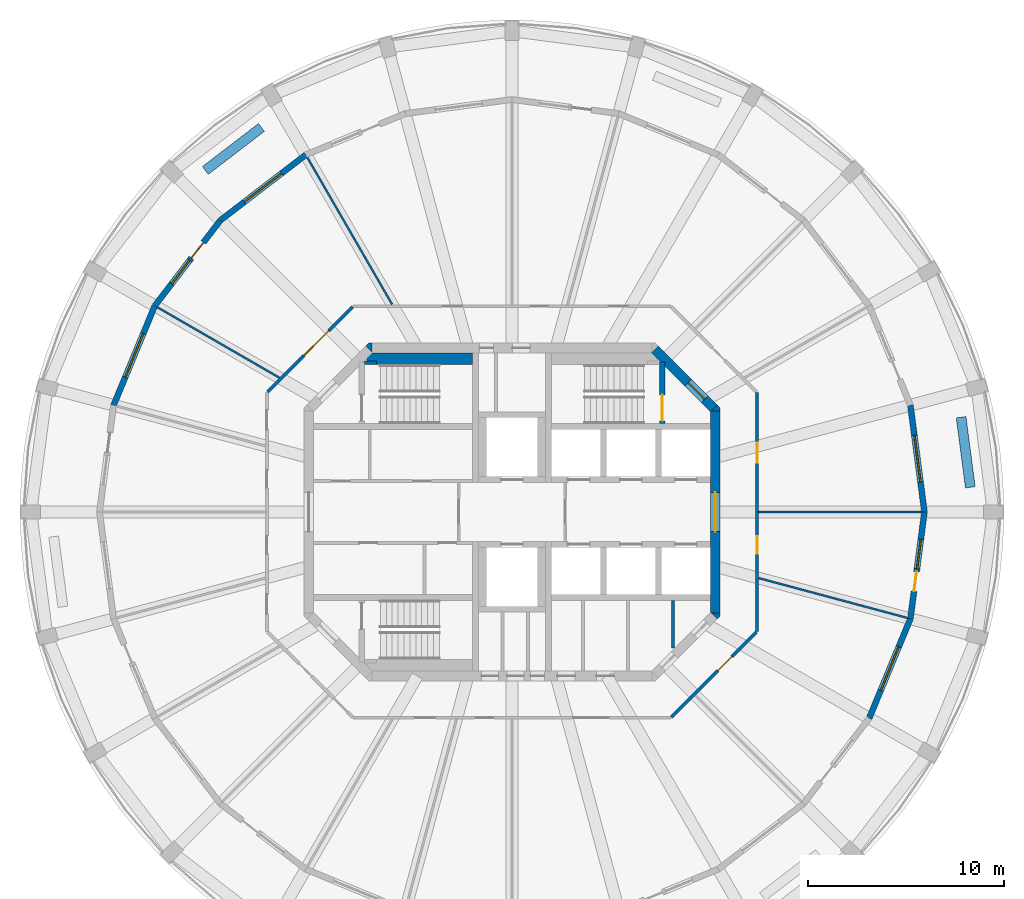
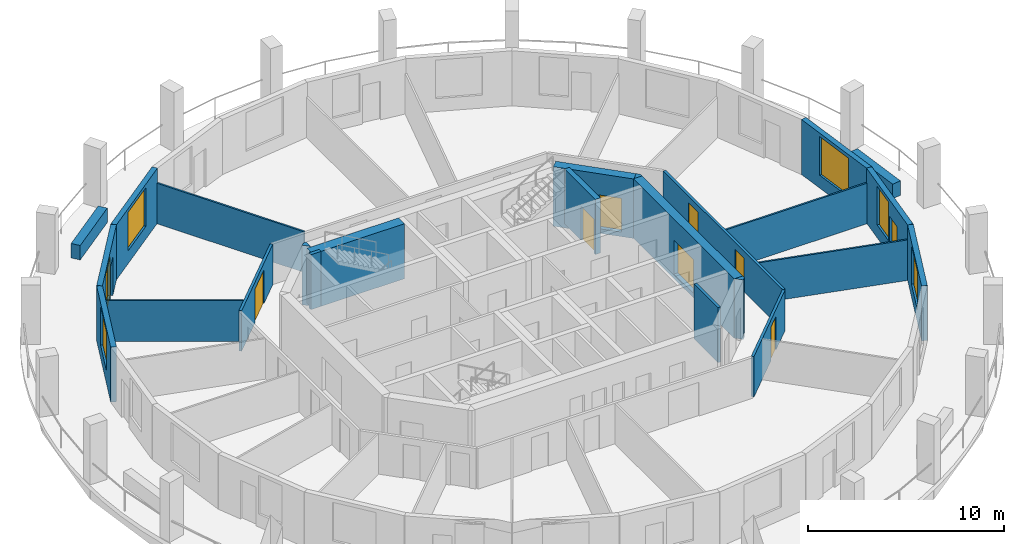
# One storey, part 5 of 9: 24 walls, 9 doors, 6 windows, 15 openings.
"""IFC4 building model written with IfcOpenShell, lengths in metres."""

from ifc_helpers import new_model, si_unit, direction, frame, frame_2d, origin, place, context, subcontext, project, spatial, polyline, rectangle, outline, extrude, material, layer, layer_set, type_object, element, fill, save


model = new_model("IFC4")

# Units and contexts
model_context = context("Model", 3, precision=1e-05, world=origin(), true_north=direction((0.0, 1.0)))
body_context = subcontext(model_context, "Body", "Model", "MODEL_VIEW")
ifc_project = project(units=[si_unit("LENGTHUNIT", "METRE"), si_unit("AREAUNIT", "SQUARE_METRE"), si_unit("VOLUMEUNIT", "CUBIC_METRE"), si_unit("PLANEANGLEUNIT", "RADIAN"), si_unit("MASSUNIT", "GRAM", prefix="KILO")], contexts=[model_context])

# Site, building, storey
site_placement = place(None, origin())
site = spatial("IfcSite", under=ifc_project, at=site_placement, CompositionType="ELEMENT")
building_placement = place(site_placement, origin())
building = spatial("IfcBuilding", under=site, at=building_placement, Name="Torre Triforio", CompositionType="ELEMENT")
storey_placement = place(building_placement, frame((0.0, 0.0, 272.300048828125)))
storey = spatial("IfcBuildingStorey", under=building, at=storey_placement, Name="L63", CompositionType="ELEMENT", Elevation=272.300048828125)

# Wall, opening, door
ifc_material_1 = material(Name="Concrete C40", Category="concrete")
ifc_layer_1 = layer(ifc_material_1, 0.5)
ifc_layer_set_1 = layer_set([ifc_layer_1], Name="Concrete C40")
wall_type_1 = type_object("IfcWallType", Name="Core wall 500 mm C40 EI 120", PredefinedType="SHEAR", material=ifc_layer_set_1)
wall_1_placement = place(storey_placement, frame((10.35009765625, -5.1298828125, -0.280029296875), z_axis=(0.0, 0.0, 1.0), x_axis=(0.0, 1.0, 0.0)))
wall_1 = element("IfcWall", 1, at=wall_1_placement, inside=storey, type_object=wall_type_1, Name="Core wall", PredefinedType="SHEAR", context=body_context, shape_type="SweptSolid", body=[
    extrude(rectangle(XDim=10.259765625, YDim=0.5, at=frame_2d((5.1298828125, 0.0))), origin(), (0.0, 0.0, 1.0), 3.699951171875),
])
opening_1_placement = place(wall_1_placement, frame((4.1298828125, 0.0, 0.280029296875)))
opening_1 = element("IfcOpeningElement", 2, at=opening_1_placement, cuts=wall_1, Name="Opening E-RING", PredefinedType="OPENING", context=body_context, shape_type="SweptSolid", body=[
    extrude(rectangle(XDim=2.0, YDim=2.10009765625, at=frame_2d((1.0, 1.050048828125))), frame((0.0, 0.260009765625, 0.0), z_axis=(0.0, -1.0, 0.0), x_axis=(1.0, 0.0, 0.0)), (0.0, 0.0, 1.0), 0.52001953125),
])
ifc_material_2 = material(Name="Hollow metal fire door leaf")
door_type_1 = type_object("IfcDoorType", Name="Lobby door 2000 x 2100 EI 60", OperationType="DOUBLE_DOOR_SINGLE_SWING", PredefinedType="DOOR", material=ifc_material_2)
door_1_placement = place(opening_1_placement, origin())
door_1 = element("IfcDoor", 3, at=door_1_placement, inside=storey, type_object=door_type_1, Name="Core door E-RING", OperationType="DOUBLE_DOOR_SINGLE_SWING", OverallHeight=2.10009765625, OverallWidth=2.0, PredefinedType="DOOR", context=body_context, shape_type="SweptSolid", body=[
    extrude(rectangle(XDim=2.0, YDim=2.10009765625, at=frame_2d((1.0, 1.050048828125))), frame((0.0, 0.02490234375, 0.0), z_axis=(0.0, -1.0, 0.0), x_axis=(1.0, 0.0, 0.0)), (0.0, 0.0, 1.0), 0.050048828125),
])
fill(opening_1, door_1)

wall_2_placement = place(storey_placement, frame((7.27685546875, 8.27685546875, -0.280029296875), z_axis=(0.0, 0.0, 1.0), x_axis=(0.707106781187, -0.707106781187, 0.0)))
wall_2 = element("IfcWall", 4, at=wall_2_placement, inside=storey, type_object=wall_type_1, Name="Core wall", PredefinedType="SHEAR", context=body_context, shape_type="SweptSolid", body=[
    extrude(rectangle(XDim=4.24267578125, YDim=0.5, at=frame_2d((2.121337890625, 0.0))), origin(), (0.0, 0.0, 1.0), 3.699951171875),
])
opening_2_placement = place(wall_2_placement, frame((2.392578125, 0.0, 0.280029296875)))
opening_2 = element("IfcOpeningElement", 5, at=opening_2_placement, cuts=wall_2, Name="Opening ST2-EXIT", PredefinedType="OPENING", context=body_context, shape_type="SweptSolid", body=[
    extrude(rectangle(XDim=1.199951171875, YDim=2.10009765625, at=frame_2d((0.60009765625, 1.050048828125))), frame((0.0, 0.260009765625, 0.0), z_axis=(0.0, -1.0, 0.0), x_axis=(1.0, 0.0, 0.0)), (0.0, 0.0, 1.0), 0.52001953125),
])
door_type_2 = type_object("IfcDoorType", Name="Stair lobby door 1200 x 2100 EI 60", OperationType="NOTDEFINED", PredefinedType="DOOR", material=ifc_material_2)
door_2_placement = place(opening_2_placement, origin())
door_2 = element("IfcDoor", 6, at=door_2_placement, inside=storey, type_object=door_type_2, Name="Core door ST2-EXIT", OperationType="SINGLE_SWING_RIGHT", OverallHeight=2.10009765625, OverallWidth=1.199951171875, PredefinedType="DOOR", context=body_context, shape_type="SweptSolid", body=[
    extrude(rectangle(XDim=1.199951171875, YDim=2.10009765625, at=frame_2d((0.60009765625, 1.050048828125))), frame((0.0, 0.02490234375, 0.0), z_axis=(0.0, -1.0, 0.0), x_axis=(1.0, 0.0, 0.0)), (0.0, 0.0, 1.0), 0.050048828125),
])
fill(opening_2, door_2)

# Walls
wall_3_placement = place(storey_placement, frame((0.0, 0.0, -0.280029296875)))
element("IfcWall", 7, at=wall_3_placement, inside=storey, type_object=wall_type_1, Name="Core wall", PredefinedType="SHEAR", context=body_context, shape_type="SweptSolid", body=[
    extrude(outline(polyline([(10.60009765625, -5.30712890625), (10.45361328125, -5.45361328125), (10.1298828125, -5.1298828125), (10.60009765625, -5.1298828125), (10.60009765625, -5.30712890625)])), origin(), (0.0, 0.0, 1.0), 3.699951171875),
])
wall_4_placement = place(storey_placement, frame((0.0, 0.0, -0.280029296875)))
element("IfcWall", 8, at=wall_4_placement, inside=storey, type_object=wall_type_1, Name="Core wall", PredefinedType="SHEAR", context=body_context, shape_type="SweptSolid", body=[
    extrude(outline(polyline([(10.60009765625, 5.30712890625), (10.60009765625, 5.1298828125), (10.1298828125, 5.1298828125), (10.45361328125, 5.45361328125), (10.60009765625, 5.30712890625)])), origin(), (0.0, 0.0, 1.0), 3.699951171875),
])
wall_5_placement = place(storey_placement, frame((0.0, 0.0, -0.280029296875)))
element("IfcWall", 9, at=wall_5_placement, inside=storey, type_object=wall_type_1, Name="Core wall", PredefinedType="SHEAR", context=body_context, shape_type="SweptSolid", body=[
    extrude(outline(polyline([(-7.30712890625, 8.60009765625), (-7.1298828125, 8.60009765625), (-7.1298828125, 8.1298828125), (-7.45361328125, 8.45361328125), (-7.30712890625, 8.60009765625)])), origin(), (0.0, 0.0, 1.0), 3.699951171875),
])

# Wall, opening, door
ifc_material_3 = material(Name="Plasterboard on metal studs")
ifc_layer_2 = layer(ifc_material_3, 0.14990234375)
ifc_layer_set_2 = layer_set([ifc_layer_2], Name="Plasterboard on metal studs")
wall_type_2 = type_object("IfcWallType", Name="Corridor and tenancy wall 150 mm EI 60", PredefinedType="PARTITIONING", material=ifc_layer_set_2)
wall_6_placement = place(storey_placement, frame((12.43798828125, -6.120849609375, 0.0), z_axis=(0.0, 0.0, 1.0), x_axis=(-0.707106781187, -0.707106781187, 0.0)))
wall_6 = element("IfcWall", 10, at=wall_6_placement, inside=storey, type_object=wall_type_2, Name="Partition 1", PredefinedType="PARTITIONING", context=body_context, shape_type="SweptSolid", body=[
    extrude(rectangle(XDim=6.10546875, YDim=0.14990234375, at=frame_2d((3.052734375, 0.0))), origin(), (0.0, 0.0, 1.0), 2.52001953125),
])
opening_3_placement = place(wall_6_placement, frame((1.75830078125, 0.0, 0.0)))
opening_3 = element("IfcOpeningElement", 11, at=opening_3_placement, cuts=wall_6, Name="Opening E2-05", PredefinedType="OPENING", context=body_context, shape_type="SweptSolid", body=[
    extrude(rectangle(XDim=1.0, YDim=2.10009765625, at=frame_2d((0.5, 1.050048828125))), frame((0.0, 0.0849609375, 0.0), z_axis=(0.0, -1.0, 0.0), x_axis=(1.0, 0.0, 0.0)), (0.0, 0.0, 1.0), 0.169921875),
])
ifc_material_4 = material(Name="Timber", Category="wood")
door_type_3 = type_object("IfcDoorType", Name="Door 1000 x 2100 single leaf EI 30", OperationType="NOTDEFINED", PredefinedType="DOOR", material=ifc_material_4)
door_3_placement = place(opening_3_placement, origin())
door_3 = element("IfcDoor", 12, at=door_3_placement, inside=storey, type_object=door_type_3, Name="Door E2-05", OperationType="SINGLE_SWING_LEFT", OverallHeight=2.10009765625, OverallWidth=1.0, PredefinedType="DOOR", context=body_context, shape_type="SweptSolid", body=[
    extrude(rectangle(XDim=1.0, YDim=2.10009765625, at=frame_2d((0.5, 1.050048828125))), frame((0.0, 0.02490234375, 0.0), z_axis=(0.0, -1.0, 0.0), x_axis=(1.0, 0.0, 0.0)), (0.0, 0.0, 1.0), 0.050048828125),
])
fill(opening_3, door_3)

wall_7_placement = place(storey_placement, frame((-12.43798828125, 6.120849609375, 0.0), z_axis=(0.0, 0.0, 1.0), x_axis=(0.707106781187, 0.707106781187, 0.0)))
wall_7 = element("IfcWall", 13, at=wall_7_placement, inside=storey, type_object=wall_type_2, Name="Partition 5", PredefinedType="PARTITIONING", context=body_context, shape_type="SweptSolid", body=[
    extrude(rectangle(XDim=6.10546875, YDim=0.14990234375, at=frame_2d((3.052734375, 0.0))), origin(), (0.0, 0.0, 1.0), 2.52001953125),
])
opening_4_placement = place(wall_7_placement, frame((2.601806640625, 0.0, 0.0)))
opening_4 = element("IfcOpeningElement", 14, at=opening_4_placement, cuts=wall_7, Name="Opening E2-12", PredefinedType="OPENING", context=body_context, shape_type="SweptSolid", body=[
    extrude(rectangle(XDim=1.800048828125, YDim=2.10009765625, at=frame_2d((0.89990234375, 1.050048828125))), frame((0.0, 0.0849609375, 0.0), z_axis=(0.0, -1.0, 0.0), x_axis=(1.0, 0.0, 0.0)), (0.0, 0.0, 1.0), 0.169921875),
])
door_type_4 = type_object("IfcDoorType", Name="Door 1800 x 2100 double leaf EI 30", OperationType="DOUBLE_DOOR_SINGLE_SWING", PredefinedType="DOOR", material=ifc_material_4)
door_4_placement = place(opening_4_placement, origin())
door_4 = element("IfcDoor", 15, at=door_4_placement, inside=storey, type_object=door_type_4, Name="Door E2-12", OperationType="DOUBLE_DOOR_SINGLE_SWING", OverallHeight=2.10009765625, OverallWidth=1.800048828125, PredefinedType="DOOR", context=body_context, shape_type="SweptSolid", body=[
    extrude(rectangle(XDim=1.800048828125, YDim=2.10009765625, at=frame_2d((0.89990234375, 1.050048828125))), frame((0.0, 0.02490234375, 0.0), z_axis=(0.0, -1.0, 0.0), x_axis=(1.0, 0.0, 0.0)), (0.0, 0.0, 1.0), 0.050048828125),
])
fill(opening_4, door_4)

# Wall, openings, doors
wall_8_placement = place(storey_placement, frame((12.47509765625, 6.083740234375, 0.0), z_axis=(0.0, 0.0, 1.0), x_axis=(0.0, -1.0, 0.0)))
wall_8 = element("IfcWall", 16, at=wall_8_placement, inside=storey, type_object=wall_type_2, Name="Partition 8", PredefinedType="PARTITIONING", context=body_context, shape_type="SweptSolid", body=[
    extrude(rectangle(XDim=12.16748046875, YDim=0.14990234375, at=frame_2d((6.083740234375, 0.0))), origin(), (0.0, 0.0, 1.0), 2.52001953125),
])
opening_5_placement = place(wall_8_placement, frame((7.305908203125, 0.0, 0.0)))
opening_5 = element("IfcOpeningElement", 17, at=opening_5_placement, cuts=wall_8, Name="Opening E2-06", PredefinedType="OPENING", context=body_context, shape_type="SweptSolid", body=[
    extrude(rectangle(XDim=0.89990234375, YDim=2.10009765625, at=frame_2d((0.449951171875, 1.050048828125))), frame((0.0, 0.0849609375, 0.0), z_axis=(0.0, -1.0, 0.0), x_axis=(1.0, 0.0, 0.0)), (0.0, 0.0, 1.0), 0.169921875),
])
opening_6_placement = place(wall_8_placement, frame((2.56689453125, 0.0, 0.0)))
opening_6 = element("IfcOpeningElement", 18, at=opening_6_placement, cuts=wall_8, Name="Opening E2-07", PredefinedType="OPENING", context=body_context, shape_type="SweptSolid", body=[
    extrude(rectangle(XDim=1.0, YDim=2.10009765625, at=frame_2d((0.5, 1.050048828125))), frame((0.0, 0.0849609375, 0.0), z_axis=(0.0, -1.0, 0.0), x_axis=(1.0, 0.0, 0.0)), (0.0, 0.0, 1.0), 0.169921875),
])
door_5_placement = place(opening_6_placement, origin())
door_5 = element("IfcDoor", 19, at=door_5_placement, inside=storey, type_object=door_type_3, Name="Door E2-07", OperationType="SINGLE_SWING_LEFT", OverallHeight=2.10009765625, OverallWidth=1.0, PredefinedType="DOOR", context=body_context, shape_type="SweptSolid", body=[
    extrude(rectangle(XDim=1.0, YDim=2.10009765625, at=frame_2d((0.5, 1.050048828125))), frame((0.0, 0.02490234375, 0.0), z_axis=(0.0, -1.0, 0.0), x_axis=(1.0, 0.0, 0.0)), (0.0, 0.0, 1.0), 0.050048828125),
])
fill(opening_6, door_5)
door_type_5 = type_object("IfcDoorType", Name="Door 900 x 2100 single leaf EI 30", OperationType="NOTDEFINED", PredefinedType="DOOR", material=ifc_material_4)
door_6_placement = place(opening_5_placement, origin())
door_6 = element("IfcDoor", 20, at=door_6_placement, inside=storey, type_object=door_type_5, Name="Door E2-06", OperationType="SINGLE_SWING_LEFT", OverallHeight=2.10009765625, OverallWidth=0.89990234375, PredefinedType="DOOR", context=body_context, shape_type="SweptSolid", body=[
    extrude(rectangle(XDim=0.89990234375, YDim=2.10009765625, at=frame_2d((0.449951171875, 1.050048828125))), frame((0.0, 0.02490234375, 0.0), z_axis=(0.0, -1.0, 0.0), x_axis=(1.0, 0.0, 0.0)), (0.0, 0.0, 1.0), 0.050048828125),
])
fill(opening_5, door_6)

# Walls
ifc_layer_3 = layer(ifc_material_3, 0.10009765625)
ifc_layer_set_3 = layer_set([ifc_layer_3], Name="Plasterboard on metal studs")
wall_type_3 = type_object("IfcWallType", Name="Partition 100 mm board on metal studs", PredefinedType="PARTITIONING", material=ifc_layer_set_3)
wall_9_placement = place(storey_placement, frame((12.550048828125, 0.0, 0.0), z_axis=(0.0, 0.0, 1.0), x_axis=(1.0, 0.0, 0.0)))
element("IfcWall", 21, at=wall_9_placement, inside=storey, type_object=wall_type_3, Name="Partition 9", PredefinedType="PARTITIONING", context=body_context, shape_type="SweptSolid", body=[
    extrude(rectangle(XDim=8.28662109375, YDim=0.10009765625, at=frame_2d((4.143310546875, 0.0))), origin(), (0.0, 0.0, 1.0), 2.52001953125),
])
wall_10_placement = place(storey_placement, frame((-6.105224609375, 10.57470703125, 0.0), z_axis=(0.0, 0.0, 1.0), x_axis=(-0.50001399067, 0.866017326117, 0.0)))
element("IfcWall", 22, at=wall_10_placement, inside=storey, type_object=wall_type_3, Name="Partition 14", PredefinedType="PARTITIONING", context=body_context, shape_type="SweptSolid", body=[
    extrude(rectangle(XDim=8.626220703125, YDim=0.10009765625, at=frame_2d((4.31298828125, 0.0))), origin(), (0.0, 0.0, 1.0), 2.52001953125),
])
wall_11_placement = place(storey_placement, frame((-11.845947265625, 6.839111328125, 0.0), z_axis=(0.0, 0.0, 1.0), x_axis=(-0.866011787705, 0.500023583, 0.0)))
element("IfcWall", 23, at=wall_11_placement, inside=storey, type_object=wall_type_3, Name="Partition 15", PredefinedType="PARTITIONING", context=body_context, shape_type="SweptSolid", body=[
    extrude(rectangle(XDim=7.158447265625, YDim=0.10009765625, at=frame_2d((3.5791015625, 0.0))), origin(), (0.0, 0.0, 1.0), 2.52001953125),
])
wall_12_placement = place(storey_placement, frame((12.564208984375, -3.36669921875, 0.0), z_axis=(0.0, 0.0, 1.0), x_axis=(0.965933576344, -0.258790119773, 0.0)))
element("IfcWall", 24, at=wall_12_placement, inside=storey, type_object=wall_type_3, Name="Partition 25", PredefinedType="PARTITIONING", context=body_context, shape_type="SweptSolid", body=[
    extrude(rectangle(XDim=7.8291015625, YDim=0.10009765625, at=frame_2d((3.91455078125, 0.0))), origin(), (0.0, 0.0, 1.0), 2.52001953125),
])
ifc_material_5 = material(Name="Block and board partition")
ifc_layer_4 = layer(ifc_material_5, 0.14990234375)
ifc_layer_set_4 = layer_set([ifc_layer_4], Name="Block and board partition")
wall_type_4 = type_object("IfcWallType", Name="Partition 150 mm", PredefinedType="PARTITIONING", material=ifc_layer_set_4)
wall_13_placement = place(storey_placement, frame((8.18896484375, -6.93603515625, 0.0), z_axis=(0.0, 0.0, 1.0), x_axis=(0.0, 1.0, 0.0)))
element("IfcWall", 25, at=wall_13_placement, inside=storey, type_object=wall_type_4, Name="Partition", PredefinedType="PARTITIONING", context=body_context, shape_type="SweptSolid", body=[
    extrude(rectangle(XDim=2.43603515625, YDim=0.14990234375, at=frame_2d((1.218017578125, 0.0))), origin(), (0.0, 0.0, 1.0), 3.419921875),
])
ifc_material_6 = material(Name="Limestone cladding", Category="masonry")
ifc_layer_5 = layer(ifc_material_6, 0.10009765625)
ifc_layer_6 = layer(ifc_material_1, 0.39990234375)
ifc_layer_set_5 = layer_set([ifc_layer_5, ifc_layer_6], Name="Limestone cladding / Concrete C40")
wall_type_5 = type_object("IfcWallType", Name="Planter wall 500", PredefinedType="PARAPET", material=ifc_layer_set_5)
for number, where, z_axis, x_axis, name in (
    (26, (23.335693359375, 1.256591796875, 0.0), (0.0, 0.0, 1.0), (-0.130542222659, 0.991442750795, 0.0), "Planter L63 bay 01"),
    (27, (-12.756103515625, 19.580810546875, 0.0), (0.0, 0.0, 1.0), (-0.793384730612, -0.608720518162, 0.0), "Planter L63 bay 09"),
):
    element("IfcWall", number, at=place(storey_placement, frame(where, z_axis=z_axis, x_axis=x_axis)), inside=storey, type_object=wall_type_5, Name=name, PredefinedType="PARAPET", context=body_context, shape_type="SweptSolid", body=[
        extrude(rectangle(XDim=3.60009765625, YDim=0.5, at=frame_2d((1.800048828125, 0.0))), origin(), (0.0, 0.0, 1.0), 0.89990234375),
    ])
ifc_layer_7 = layer(ifc_material_1, 0.199951171875)
ifc_layer_set_6 = layer_set([ifc_layer_7], Name="Concrete C40")
wall_type_6 = type_object("IfcWallType", Name="Stair wall 200 mm C40 EI 120", PredefinedType="SHEAR", material=ifc_layer_set_6)
wall_14_placement = place(storey_placement, frame((-7.5, 7.60009765625, 0.0), z_axis=(0.0, 0.0, 1.0), x_axis=(1.0, 0.0, 0.0)))
element("IfcWall", 28, at=wall_14_placement, inside=storey, type_object=wall_type_6, Name="Stair wall", PredefinedType="SHEAR", context=body_context, shape_type="SweptSolid", body=[
    extrude(rectangle(XDim=0.60009765625, YDim=0.199951171875, at=frame_2d((0.300048828125, 0.0))), origin(), (0.0, 0.0, 1.0), 3.419921875),
])

# Wall, opening, door
ifc_layer_8 = layer(ifc_material_1, 0.300048828125)
ifc_layer_set_7 = layer_set([ifc_layer_8], Name="Concrete C40")
wall_type_7 = type_object("IfcWallType", Name="Stair wall 300 mm C40 EI 120", PredefinedType="SHEAR", material=ifc_layer_set_7)
wall_15_placement = place(storey_placement, frame((7.64990234375, 4.5, 0.0), z_axis=(0.0, 0.0, 1.0), x_axis=(0.0, 1.0, 0.0)))
wall_15 = element("IfcWall", 29, at=wall_15_placement, inside=storey, type_object=wall_type_7, Name="Stair wall", PredefinedType="SHEAR", context=body_context, shape_type="SweptSolid", body=[
    extrude(rectangle(XDim=3.139892578125, YDim=0.300048828125, at=frame_2d((1.56982421875, 0.0))), origin(), (0.0, 0.0, 1.0), 3.419921875),
])
opening_7_placement = place(wall_15_placement, frame((0.139892578125, 0.0, 0.0)))
opening_7 = element("IfcOpeningElement", 30, at=opening_7_placement, cuts=wall_15, Name="Opening ST2-STA", PredefinedType="OPENING", context=body_context, shape_type="SweptSolid", body=[
    extrude(rectangle(XDim=1.320068359375, YDim=2.10009765625, at=frame_2d((0.66015625, 1.050048828125))), frame((0.0, 0.159912109375, 0.0), z_axis=(0.0, -1.0, 0.0), x_axis=(1.0, 0.0, 0.0)), (0.0, 0.0, 1.0), 0.320068359375),
])
door_type_6 = type_object("IfcDoorType", Name="Stair door 1320 x 2100 EI 90", OperationType="DOUBLE_DOOR_SINGLE_SWING", PredefinedType="DOOR", material=ifc_material_2)
door_7_placement = place(opening_7_placement, origin())
door_7 = element("IfcDoor", 31, at=door_7_placement, inside=storey, type_object=door_type_6, Name="Core door ST2-ST", OperationType="DOUBLE_DOOR_SINGLE_SWING", OverallHeight=2.10009765625, OverallWidth=1.320068359375, PredefinedType="DOOR", context=body_context, shape_type="SweptSolid", body=[
    extrude(rectangle(XDim=1.320068359375, YDim=2.10009765625, at=frame_2d((0.66015625, 1.050048828125))), frame((0.0, 0.02490234375, 0.0), z_axis=(0.0, -1.0, 0.0), x_axis=(1.0, 0.0, 0.0)), (0.0, 0.0, 1.0), 0.050048828125),
])
fill(opening_7, door_7)

# Wall
ifc_layer_9 = layer(ifc_material_1, 0.60009765625)
ifc_layer_set_8 = layer_set([ifc_layer_9], Name="Concrete C40")
wall_type_8 = type_object("IfcWallType", Name="Stair wall 600 mm C40 EI 120", PredefinedType="SHEAR", material=ifc_layer_set_8)
wall_16_placement = place(storey_placement, frame((-7.3701171875, 7.800048828125, 0.0), z_axis=(0.0, 0.0, 1.0), x_axis=(1.0, 0.0, 0.0)))
element("IfcWall", 32, at=wall_16_placement, inside=storey, type_object=wall_type_8, Name="Stair wall", PredefinedType="SHEAR", context=body_context, shape_type="SweptSolid", body=[
    extrude(rectangle(XDim=5.3701171875, YDim=0.60009765625, at=frame_2d((2.68505859375, 0.0))), origin(), (0.0, 0.0, 1.0), 3.419921875),
])

# Wall, opening, window
ifc_layer_10 = layer(ifc_material_6, 0.10009765625)
ifc_layer_11 = layer(ifc_material_1, 0.199951171875)
ifc_layer_set_9 = layer_set([ifc_layer_10, ifc_layer_11], Name="Limestone cladding / Concrete C40")
wall_type_9 = type_object("IfcWallType", Name="Stone-faced composite wall 300", PredefinedType="STANDARD", material=ifc_layer_set_9)
wall_17_placement = place(storey_placement, frame((21.0, 0.0, 0.0), z_axis=(0.0, 0.0, 1.0), x_axis=(-0.130527087244, 0.991444743541, 0.0)))
wall_17 = element("IfcWall", 33, at=wall_17_placement, inside=storey, type_object=wall_type_9, Name="External wall L63 bay 01", PredefinedType="STANDARD", context=body_context, shape_type="SweptSolid", body=[
    extrude(rectangle(XDim=5.482177734375, YDim=0.300048828125, at=frame_2d((2.7412109375, 0.0))), origin(), (0.0, 0.0, 1.0), 3.419921875),
])
opening_8_placement = place(wall_17_placement, frame((1.541015625, 0.0, 0.800048828125)))
opening_8 = element("IfcOpeningElement", 34, at=opening_8_placement, cuts=wall_17, Name="Opening E2-W01", PredefinedType="OPENING", context=body_context, shape_type="SweptSolid", body=[
    extrude(rectangle(XDim=2.39990234375, YDim=2.39990234375, at=frame_2d((1.199951171875, 1.199951171875))), frame((0.0, 0.159912109375, 0.0), z_axis=(0.0, -1.0, 0.0), x_axis=(1.0, 0.0, 0.0)), (0.0, 0.0, 1.0), 0.320068359375),
])
ifc_material_7 = material(Name="Aluminium frame with clear double glazing", Category="aluminium")
window_type_1 = type_object("IfcWindowType", Name="Punched window 2400 x 2400", PartitioningType="DOUBLE_PANEL_VERTICAL", PredefinedType="WINDOW", material=ifc_material_7)
window_1_placement = place(opening_8_placement, origin())
window_1 = element("IfcWindow", 35, at=window_1_placement, inside=storey, type_object=window_type_1, Name="Window EWN4 L63 bay 01", OverallHeight=2.39990234375, OverallWidth=2.39990234375, PartitioningType="SINGLE_PANEL", PredefinedType="WINDOW", context=body_context, shape_type="SweptSolid", body=[
    extrude(rectangle(XDim=2.39990234375, YDim=2.39990234375, at=frame_2d((1.199951171875, 1.199951171875))), frame((0.0, 0.030029296875, 0.0), z_axis=(0.0, -1.0, 0.0), x_axis=(1.0, 0.0, 0.0)), (0.0, 0.0, 1.0), 0.06005859375),
])
fill(opening_8, window_1)

wall_18_placement = place(storey_placement, frame((-10.5, 18.1865234375, 0.0), z_axis=(0.0, 0.0, 1.0), x_axis=(-0.793335336593, -0.608784891166, 0.0)))
wall_18 = element("IfcWall", 36, at=wall_18_placement, inside=storey, type_object=wall_type_9, Name="External wall L63 bay 09", PredefinedType="STANDARD", context=body_context, shape_type="SweptSolid", body=[
    extrude(rectangle(XDim=5.482177734375, YDim=0.300048828125, at=frame_2d((2.7412109375, 0.0))), origin(), (0.0, 0.0, 1.0), 3.419921875),
])
opening_9_placement = place(wall_18_placement, frame((1.541015625, 0.0, 0.800048828125)))
opening_9 = element("IfcOpeningElement", 37, at=opening_9_placement, cuts=wall_18, Name="Opening E2-W09", PredefinedType="OPENING", context=body_context, shape_type="SweptSolid", body=[
    extrude(rectangle(XDim=2.39990234375, YDim=2.39990234375, at=frame_2d((1.199951171875, 1.199951171875))), frame((0.0, 0.159912109375, 0.0), z_axis=(0.0, -1.0, 0.0), x_axis=(1.0, 0.0, 0.0)), (0.0, 0.0, 1.0), 0.320068359375),
])
window_2_placement = place(opening_9_placement, origin())
window_2 = element("IfcWindow", 38, at=window_2_placement, inside=storey, type_object=window_type_1, Name="Window EWN4 L63 bay 09", OverallHeight=2.39990234375, OverallWidth=2.39990234375, PartitioningType="SINGLE_PANEL", PredefinedType="WINDOW", context=body_context, shape_type="SweptSolid", body=[
    extrude(rectangle(XDim=2.39990234375, YDim=2.39990234375, at=frame_2d((1.199951171875, 1.199951171875))), frame((0.0, 0.030029296875, 0.0), z_axis=(0.0, -1.0, 0.0), x_axis=(1.0, 0.0, 0.0)), (0.0, 0.0, 1.0), 0.06005859375),
])
fill(opening_9, window_2)

# Wall, openings, door, window
wall_19_placement = place(storey_placement, frame((-14.84912109375, 14.84912109375, 0.0), z_axis=(0.0, 0.0, 1.0), x_axis=(-0.608784891166, -0.793335336593, 0.0)))
wall_19 = element("IfcWall", 39, at=wall_19_placement, inside=storey, type_object=wall_type_9, Name="External wall L63 bay 10", PredefinedType="STANDARD", context=body_context, shape_type="SweptSolid", body=[
    extrude(rectangle(XDim=5.482177734375, YDim=0.300048828125, at=frame_2d((2.7412109375, 0.0))), origin(), (0.0, 0.0, 1.0), 3.419921875),
])
opening_10_placement = place(wall_19_placement, frame((1.416015625, 0.0, 0.0)))
opening_10 = element("IfcOpeningElement", 40, at=opening_10_placement, cuts=wall_19, Name="Opening E2-D10", PredefinedType="OPENING", context=body_context, shape_type="SweptSolid", body=[
    extrude(rectangle(XDim=1.0, YDim=2.39990234375, at=frame_2d((0.5, 1.199951171875))), frame((0.0, 0.159912109375, 0.0), z_axis=(0.0, -1.0, 0.0), x_axis=(1.0, 0.0, 0.0)), (0.0, 0.0, 1.0), 0.320068359375),
])
opening_11_placement = place(wall_19_placement, frame((2.56591796875, 0.0, 0.800048828125)))
opening_11 = element("IfcOpeningElement", 41, at=opening_11_placement, cuts=wall_19, Name="Opening E2-W10A", PredefinedType="OPENING", context=body_context, shape_type="SweptSolid", body=[
    extrude(rectangle(XDim=1.5, YDim=2.39990234375, at=frame_2d((0.75, 1.199951171875))), frame((0.0, 0.159912109375, 0.0), z_axis=(0.0, -1.0, 0.0), x_axis=(1.0, 0.0, 0.0)), (0.0, 0.0, 1.0), 0.320068359375),
])
door_type_7 = type_object("IfcDoorType", Name="Loggia door 1000 x 2400", OperationType="NOTDEFINED", PredefinedType="DOOR", material=ifc_material_7)
door_8_placement = place(opening_10_placement, origin())
door_8 = element("IfcDoor", 42, at=door_8_placement, inside=storey, type_object=door_type_7, Name="Loggia door L63 bay 10", OperationType="SINGLE_SWING_LEFT", OverallHeight=2.39990234375, OverallWidth=1.0, PredefinedType="DOOR", context=body_context, shape_type="SweptSolid", body=[
    extrude(rectangle(XDim=1.0, YDim=2.39990234375, at=frame_2d((0.5, 1.199951171875))), frame((0.0, 0.02490234375, 0.0), z_axis=(0.0, -1.0, 0.0), x_axis=(1.0, 0.0, 0.0)), (0.0, 0.0, 1.0), 0.050048828125),
])
fill(opening_10, door_8)
window_type_2 = type_object("IfcWindowType", Name="Side window 1500 x 2400", PartitioningType="SINGLE_PANEL", PredefinedType="WINDOW", material=ifc_material_7)
window_3_placement = place(opening_11_placement, origin())
window_3 = element("IfcWindow", 43, at=window_3_placement, inside=storey, type_object=window_type_2, Name="Side window EWN14 L63 bay 10", OverallHeight=2.39990234375, OverallWidth=1.5, PartitioningType="SINGLE_PANEL", PredefinedType="WINDOW", context=body_context, shape_type="SweptSolid", body=[
    extrude(rectangle(XDim=1.5, YDim=2.39990234375, at=frame_2d((0.75, 1.199951171875))), frame((0.0, 0.030029296875, 0.0), z_axis=(0.0, -1.0, 0.0), x_axis=(1.0, 0.0, 0.0)), (0.0, 0.0, 1.0), 0.06005859375),
])
fill(opening_11, window_3)

# Wall, opening, window
wall_20_placement = place(storey_placement, frame((-18.1865234375, 10.5, 0.0), z_axis=(0.0, 0.0, 1.0), x_axis=(-0.382688740813, -0.923877333662, 0.0)))
wall_20 = element("IfcWall", 44, at=wall_20_placement, inside=storey, type_object=wall_type_9, Name="External wall L63 bay 11", PredefinedType="STANDARD", context=body_context, shape_type="SweptSolid", body=[
    extrude(rectangle(XDim=5.48193359375, YDim=0.300048828125, at=frame_2d((2.740966796875, 0.0))), origin(), (0.0, 0.0, 1.0), 3.419921875),
])
opening_12_placement = place(wall_20_placement, frame((1.541015625, 0.0, 0.800048828125)))
opening_12 = element("IfcOpeningElement", 45, at=opening_12_placement, cuts=wall_20, Name="Opening E2-W11", PredefinedType="OPENING", context=body_context, shape_type="SweptSolid", body=[
    extrude(rectangle(XDim=2.39990234375, YDim=2.39990234375, at=frame_2d((1.199951171875, 1.199951171875))), frame((0.0, 0.159912109375, 0.0), z_axis=(0.0, -1.0, 0.0), x_axis=(1.0, 0.0, 0.0)), (0.0, 0.0, 1.0), 0.320068359375),
])
window_4_placement = place(opening_12_placement, origin())
window_4 = element("IfcWindow", 46, at=window_4_placement, inside=storey, type_object=window_type_1, Name="Window EWN4 L63 bay 11", OverallHeight=2.39990234375, OverallWidth=2.39990234375, PartitioningType="SINGLE_PANEL", PredefinedType="WINDOW", context=body_context, shape_type="SweptSolid", body=[
    extrude(rectangle(XDim=2.39990234375, YDim=2.39990234375, at=frame_2d((1.199951171875, 1.199951171875))), frame((0.0, 0.030029296875, 0.0), z_axis=(0.0, -1.0, 0.0), x_axis=(1.0, 0.0, 0.0)), (0.0, 0.0, 1.0), 0.06005859375),
])
fill(opening_12, window_4)

wall_21_placement = place(storey_placement, frame((18.1865234375, -10.5, 0.0), z_axis=(0.0, 0.0, 1.0), x_axis=(0.382688740813, 0.923877333662, 0.0)))
wall_21 = element("IfcWall", 47, at=wall_21_placement, inside=storey, type_object=wall_type_9, Name="External wall L63 bay 23", PredefinedType="STANDARD", context=body_context, shape_type="SweptSolid", body=[
    extrude(rectangle(XDim=5.48193359375, YDim=0.300048828125, at=frame_2d((2.740966796875, 0.0))), origin(), (0.0, 0.0, 1.0), 3.419921875),
])
opening_13_placement = place(wall_21_placement, frame((1.541015625, 0.0, 0.800048828125)))
opening_13 = element("IfcOpeningElement", 48, at=opening_13_placement, cuts=wall_21, Name="Opening E2-W23", PredefinedType="OPENING", context=body_context, shape_type="SweptSolid", body=[
    extrude(rectangle(XDim=2.39990234375, YDim=2.39990234375, at=frame_2d((1.199951171875, 1.199951171875))), frame((0.0, 0.159912109375, 0.0), z_axis=(0.0, -1.0, 0.0), x_axis=(1.0, 0.0, 0.0)), (0.0, 0.0, 1.0), 0.320068359375),
])
window_5_placement = place(opening_13_placement, origin())
window_5 = element("IfcWindow", 49, at=window_5_placement, inside=storey, type_object=window_type_1, Name="Window EWN4 L63 bay 23", OverallHeight=2.39990234375, OverallWidth=2.39990234375, PartitioningType="SINGLE_PANEL", PredefinedType="WINDOW", context=body_context, shape_type="SweptSolid", body=[
    extrude(rectangle(XDim=2.39990234375, YDim=2.39990234375, at=frame_2d((1.199951171875, 1.199951171875))), frame((0.0, 0.030029296875, 0.0), z_axis=(0.0, -1.0, 0.0), x_axis=(1.0, 0.0, 0.0)), (0.0, 0.0, 1.0), 0.06005859375),
])
fill(opening_13, window_5)

# Wall, openings, door, window
wall_22_placement = place(storey_placement, frame((20.284423828125, -5.435302734375, 0.0), z_axis=(0.0, 0.0, 1.0), x_axis=(0.130527087244, 0.991444743541, 0.0)))
wall_22 = element("IfcWall", 50, at=wall_22_placement, inside=storey, type_object=wall_type_9, Name="External wall L63 bay 24", PredefinedType="STANDARD", context=body_context, shape_type="SweptSolid", body=[
    extrude(rectangle(XDim=5.482177734375, YDim=0.300048828125, at=frame_2d((2.7412109375, 0.0))), origin(), (0.0, 0.0, 1.0), 3.419921875),
])
opening_14_placement = place(wall_22_placement, frame((1.416015625, 0.0, 0.0)))
opening_14 = element("IfcOpeningElement", 51, at=opening_14_placement, cuts=wall_22, Name="Opening E2-D24", PredefinedType="OPENING", context=body_context, shape_type="SweptSolid", body=[
    extrude(rectangle(XDim=1.0, YDim=2.39990234375, at=frame_2d((0.5, 1.199951171875))), frame((0.0, 0.159912109375, 0.0), z_axis=(0.0, -1.0, 0.0), x_axis=(1.0, 0.0, 0.0)), (0.0, 0.0, 1.0), 0.320068359375),
])
opening_15_placement = place(wall_22_placement, frame((2.566162109375, 0.0, 0.800048828125)))
opening_15 = element("IfcOpeningElement", 52, at=opening_15_placement, cuts=wall_22, Name="Opening E2-W24A", PredefinedType="OPENING", context=body_context, shape_type="SweptSolid", body=[
    extrude(rectangle(XDim=1.5, YDim=2.39990234375, at=frame_2d((0.75, 1.199951171875))), frame((0.0, 0.159912109375, 0.0), z_axis=(0.0, -1.0, 0.0), x_axis=(1.0, 0.0, 0.0)), (0.0, 0.0, 1.0), 0.320068359375),
])
door_9_placement = place(opening_14_placement, origin())
door_9 = element("IfcDoor", 53, at=door_9_placement, inside=storey, type_object=door_type_7, Name="Loggia door L63 bay 24", OperationType="SINGLE_SWING_LEFT", OverallHeight=2.39990234375, OverallWidth=1.0, PredefinedType="DOOR", context=body_context, shape_type="SweptSolid", body=[
    extrude(rectangle(XDim=1.0, YDim=2.39990234375, at=frame_2d((0.5, 1.199951171875))), frame((0.0, 0.02490234375, 0.0), z_axis=(0.0, -1.0, 0.0), x_axis=(1.0, 0.0, 0.0)), (0.0, 0.0, 1.0), 0.050048828125),
])
fill(opening_14, door_9)
window_6_placement = place(opening_15_placement, origin())
window_6 = element("IfcWindow", 54, at=window_6_placement, inside=storey, type_object=window_type_2, Name="Side window EWN14 L63 bay 24", OverallHeight=2.39990234375, OverallWidth=1.5, PartitioningType="SINGLE_PANEL", PredefinedType="WINDOW", context=body_context, shape_type="SweptSolid", body=[
    extrude(rectangle(XDim=1.5, YDim=2.39990234375, at=frame_2d((0.75, 1.199951171875))), frame((0.0, 0.030029296875, 0.0), z_axis=(0.0, -1.0, 0.0), x_axis=(1.0, 0.0, 0.0)), (0.0, 0.0, 1.0), 0.06005859375),
])
fill(opening_15, window_6)

save(model, "model.ifc")
